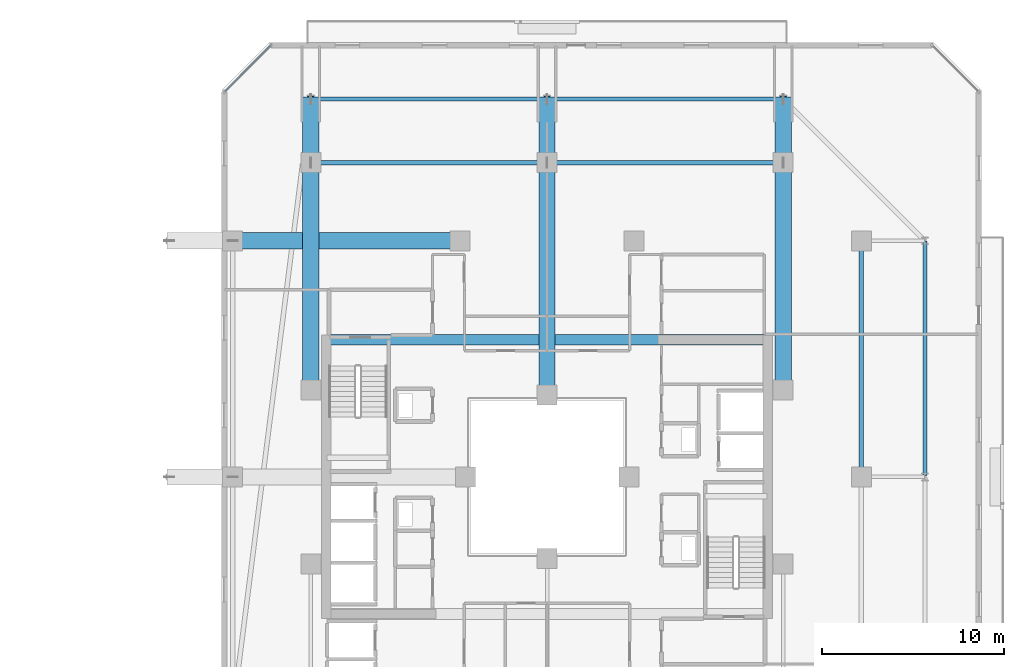
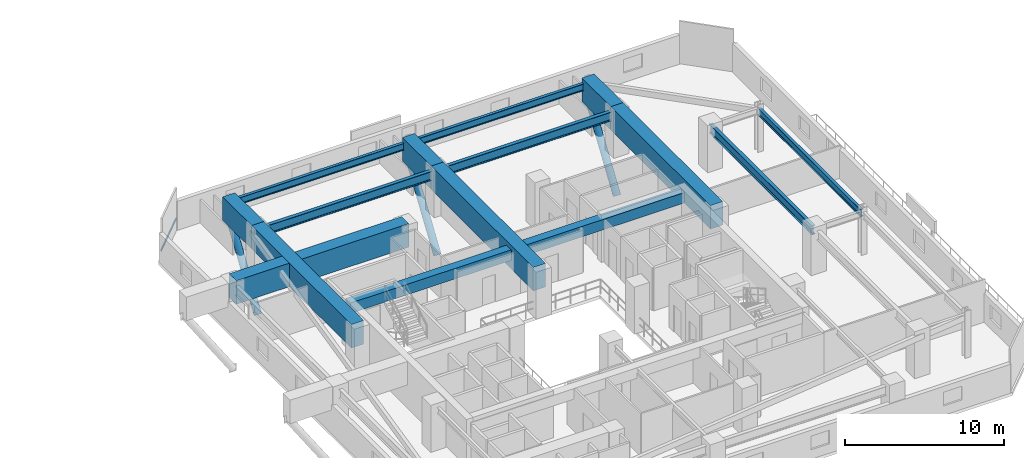
# One storey, part 15 of 36: 14 beams, 4 members, 1 element without a shape of its own.
"""IFC4 building model written with IfcOpenShell, lengths in metres."""

from ifc_helpers import new_model, si_unit, direction, frame, origin, origin_2d, place, context, subcontext, project, spatial, rectangle, hollow_rectangle, hollow_circle, i_section, extrude, material, material_profile, profile_set, type_object, element, aggregate, save


model = new_model("IFC4")

# Units and contexts
model_context = context("Model", 3, precision=1e-05, world=origin(), true_north=direction((0.0, 1.0)))
body_context = subcontext(model_context, "Body", "Model", "MODEL_VIEW")
ifc_project = project(units=[si_unit("LENGTHUNIT", "METRE"), si_unit("AREAUNIT", "SQUARE_METRE"), si_unit("VOLUMEUNIT", "CUBIC_METRE"), si_unit("PLANEANGLEUNIT", "RADIAN"), si_unit("MASSUNIT", "GRAM", prefix="KILO")], contexts=[model_context])

# Site, building, storey
site_placement = place(None, origin())
site = spatial("IfcSite", under=ifc_project, at=site_placement, CompositionType="ELEMENT")
building_placement = place(site_placement, origin())
building = spatial("IfcBuilding", under=site, at=building_placement, Name="Thornwick Lancets Civic Towers", CompositionType="ELEMENT")
storey_placement = place(building_placement, frame((0.0, 0.0, 170.699951171875)))
storey = spatial("IfcBuildingStorey", under=building, at=storey_placement, Name="L45", CompositionType="ELEMENT", Elevation=170.699951171875)

# Beams
ifc_material_1 = material(Name="Concrete C60/75", Category="concrete")
ifc_material_profile_1 = material_profile(ifc_material_1, rectangle(XDim=0.60009765625, YDim=0.800048828125, at=origin_2d()), Name="RC 600x800")
ifc_profile_set_1 = profile_set([ifc_material_profile_1], Name="Concrete C60/75")
beam_type_1 = type_object("IfcBeamType", Name="BM_COUP_RC800", PredefinedType="BEAM", material=ifc_profile_set_1)
beam_1_placement = place(storey_placement, frame((76.39990234375, 34.550048828125, 2.880126953125), z_axis=(1.0, 0.0, 0.0), x_axis=(0.0, 1.0, 0.0)))
element("IfcBeam", 1, at=beam_1_placement, inside=storey, type_object=beam_type_1, Name="CB-L45-B1", PredefinedType="BEAM", context=body_context, shape_type="SweptSolid", body=[
    extrude(rectangle(XDim=0.60009765625, YDim=0.800048828125, at=origin_2d()), origin(), (0.0, 0.0, 1.0), 24.2001953125),
])
ifc_material_2 = material(Name="Steel S355JR", Category="steel")
ifc_material_profile_2 = material_profile(ifc_material_2, i_section(OverallWidth=0.210693359375, OverallDepth=0.53955078125, WebThickness=0.01171875, FlangeThickness=0.018798828125, FilletRadius=0.0126953125, at=origin_2d()), Name="UKB 533x210x109")
ifc_profile_set_2 = profile_set([ifc_material_profile_2], Name="Steel S355JR")
beam_type_2 = type_object("IfcBeamType", Name="BM_EDGE_533_109", PredefinedType="SPANDREL", material=ifc_profile_set_2)
beam_2_placement = place(storey_placement, frame((109.300048828125, 27.080078125, 3.01025390625), z_axis=(0.0, 1.0, 0.0), x_axis=(-1.0, 0.0, 0.0)))
element("IfcBeam", 2, at=beam_2_placement, inside=storey, type_object=beam_type_2, Name="BM-EDGE-L45-B-S0-2", PredefinedType="SPANDREL", context=body_context, shape_type="SweptSolid", body=[
    extrude(i_section(OverallWidth=0.210693359375, OverallDepth=0.53955078125, WebThickness=0.01171875, FlangeThickness=0.018798828125, FilletRadius=0.0126953125, at=origin_2d()), origin(), (0.0, 0.0, 1.0), 12.919921875),
])
beam_3_placement = place(storey_placement, frame((101.5, 47.800048828125, 3.01025390625), z_axis=(-1.0, 0.0, 0.0), x_axis=(0.0, -1.0, 0.0)))
element("IfcBeam", 3, at=beam_3_placement, inside=storey, type_object=beam_type_2, Name="BM-EDGE-L45-B-S1-1", PredefinedType="SPANDREL", context=body_context, shape_type="SweptSolid", body=[
    extrude(i_section(OverallWidth=0.210693359375, OverallDepth=0.53955078125, WebThickness=0.01171875, FlangeThickness=0.018798828125, FilletRadius=0.0126953125, at=origin_2d()), origin(), (0.0, 0.0, 1.0), 13.0),
])
beam_4_placement = place(storey_placement, frame((88.419921875, 47.800048828125, 3.01025390625), z_axis=(-1.0, 0.0, 0.0), x_axis=(0.0, -1.0, 0.0)))
element("IfcBeam", 4, at=beam_4_placement, inside=storey, type_object=beam_type_2, Name="BM-EDGE-L45-B-S1-2", PredefinedType="SPANDREL", context=body_context, shape_type="SweptSolid", body=[
    extrude(i_section(OverallWidth=0.210693359375, OverallDepth=0.53955078125, WebThickness=0.01171875, FlangeThickness=0.018798828125, FilletRadius=0.0126953125, at=origin_2d()), origin(), (0.0, 0.0, 1.0), 12.919921875),
])
ifc_material_profile_3 = material_profile(ifc_material_2, i_section(OverallWidth=0.255859375, OverallDepth=0.69287109375, WebThickness=0.014404296875, FlangeThickness=0.023681640625, FilletRadius=0.01513671875, at=origin_2d()), Name="UKB 686x254x170")
ifc_profile_set_3 = profile_set([ifc_material_profile_3], Name="Steel S355JR")
beam_type_3 = type_object("IfcBeamType", Name="BM_GIRD_686_170", PredefinedType="BEAM", material=ifc_profile_set_3)
beam_5_placement = place(storey_placement, frame((105.800048828125, 27.080078125, 2.93359375), z_axis=(0.0, 1.0, 0.0), x_axis=(-1.0, 0.0, 0.0)))
element("IfcBeam", 5, at=beam_5_placement, inside=storey, type_object=beam_type_3, Name="BM-SPINE-L45-B-1-2", PredefinedType="BEAM", context=body_context, shape_type="SweptSolid", body=[
    extrude(i_section(OverallWidth=0.255859375, OverallDepth=0.69287109375, WebThickness=0.014404296875, FlangeThickness=0.023681640625, FilletRadius=0.01513671875, at=origin_2d()), origin(), (0.0, 0.0, 1.0), 12.919921875),
])
beam_6_placement = place(storey_placement, frame((101.5, 44.300048828125, 2.93359375), z_axis=(-1.0, 0.0, 0.0), x_axis=(0.0, -1.0, 0.0)))
element("IfcBeam", 6, at=beam_6_placement, inside=storey, type_object=beam_type_3, Name="BM-SPINE-L45-B-3-4", PredefinedType="BEAM", context=body_context, shape_type="SweptSolid", body=[
    extrude(i_section(OverallWidth=0.255859375, OverallDepth=0.69287109375, WebThickness=0.014404296875, FlangeThickness=0.023681640625, FilletRadius=0.01513671875, at=origin_2d()), origin(), (0.0, 0.0, 1.0), 13.0),
])
beam_7_placement = place(storey_placement, frame((88.419921875, 44.300048828125, 2.93359375), z_axis=(-1.0, 0.0, 0.0), x_axis=(0.0, -1.0, 0.0)))
element("IfcBeam", 7, at=beam_7_placement, inside=storey, type_object=beam_type_3, Name="BM-SPINE-L45-B-4-5", PredefinedType="BEAM", context=body_context, shape_type="SweptSolid", body=[
    extrude(i_section(OverallWidth=0.255859375, OverallDepth=0.69287109375, WebThickness=0.014404296875, FlangeThickness=0.023681640625, FilletRadius=0.01513671875, at=origin_2d()), origin(), (0.0, 0.0, 1.0), 12.919921875),
])
ifc_material_profile_4 = material_profile(ifc_material_1, rectangle(XDim=0.89990234375, YDim=1.800048828125, at=origin_2d()), Name="RC 900x1800")
ifc_profile_set_4 = profile_set([ifc_material_profile_4], Name="Concrete C60/75")
beam_type_4 = type_object("IfcBeamType", Name="BM_TR_RC1800", PredefinedType="BEAM", material=ifc_profile_set_4)
beam_8_placement = place(storey_placement, frame((101.5, 31.800048828125, 2.699951171875), z_axis=(0.0, 1.0, 0.0), x_axis=(-1.0, 0.0, 0.0)))
element("IfcBeam", 8, at=beam_8_placement, inside=storey, type_object=beam_type_4, Name="TG-BACK-L46-B04", PredefinedType="BEAM", context=body_context, shape_type="SweptSolid", body=[
    extrude(rectangle(XDim=0.89990234375, YDim=1.800048828125, at=origin_2d()), origin(), (0.0, 0.0, 1.0), 12.5),
])
beam_9_placement = place(storey_placement, frame((101.5, 44.300048828125, 2.699951171875), z_axis=(0.0, 1.0, 0.0), x_axis=(-1.0, 0.0, 0.0)))
element("IfcBeam", 9, at=beam_9_placement, inside=storey, type_object=beam_type_4, Name="TG-CANT-L46-B04", PredefinedType="BEAM", context=body_context, shape_type="SweptSolid", body=[
    extrude(rectangle(XDim=0.89990234375, YDim=1.800048828125, at=origin_2d()), origin(), (0.0, 0.0, 1.0), 3.619873046875),
])
beam_10_placement = place(storey_placement, frame((88.5, 31.5, 2.699951171875), z_axis=(0.0, 1.0, 0.0), x_axis=(-1.0, 0.0, 0.0)))
element("IfcBeam", 10, at=beam_10_placement, inside=storey, type_object=beam_type_4, Name="TG-BACK-L46-B05", PredefinedType="BEAM", context=body_context, shape_type="SweptSolid", body=[
    extrude(rectangle(XDim=0.89990234375, YDim=1.800048828125, at=origin_2d()), origin(), (0.0, 0.0, 1.0), 12.800048828125),
])
beam_11_placement = place(storey_placement, frame((88.5, 44.300048828125, 2.699951171875), z_axis=(0.0, 1.0, 0.0), x_axis=(-1.0, 0.0, 0.0)))
element("IfcBeam", 11, at=beam_11_placement, inside=storey, type_object=beam_type_4, Name="TG-CANT-L46-B05", PredefinedType="BEAM", context=body_context, shape_type="SweptSolid", body=[
    extrude(rectangle(XDim=0.89990234375, YDim=1.800048828125, at=origin_2d()), origin(), (0.0, 0.0, 1.0), 3.619873046875),
])
beam_12_placement = place(storey_placement, frame((75.5, 31.800048828125, 2.699951171875), z_axis=(0.0, 1.0, 0.0), x_axis=(-1.0, 0.0, 0.0)))
element("IfcBeam", 12, at=beam_12_placement, inside=storey, type_object=beam_type_4, Name="TG-BACK-L46-B06", PredefinedType="BEAM", context=body_context, shape_type="SweptSolid", body=[
    extrude(rectangle(XDim=0.89990234375, YDim=1.800048828125, at=origin_2d()), origin(), (0.0, 0.0, 1.0), 12.5),
])
beam_13_placement = place(storey_placement, frame((75.5, 44.300048828125, 2.699951171875), z_axis=(0.0, 1.0, 0.0), x_axis=(-1.0, 0.0, 0.0)))
element("IfcBeam", 13, at=beam_13_placement, inside=storey, type_object=beam_type_4, Name="TG-CANT-L46-B06", PredefinedType="BEAM", context=body_context, shape_type="SweptSolid", body=[
    extrude(rectangle(XDim=0.89990234375, YDim=1.800048828125, at=origin_2d()), origin(), (0.0, 0.0, 1.0), 3.619873046875),
])
beam_14_placement = place(storey_placement, frame((83.699951171875, 40.0, 2.699951171875), z_axis=(-1.0, 0.0, 0.0), x_axis=(0.0, -1.0, 0.0)))
element("IfcBeam", 14, at=beam_14_placement, inside=storey, type_object=beam_type_4, Name="TG-BACK-L46-B09", PredefinedType="BEAM", context=body_context, shape_type="SweptSolid", body=[
    extrude(rectangle(XDim=0.89990234375, YDim=1.800048828125, at=origin_2d()), origin(), (0.0, 0.0, 1.0), 12.5),
])

# Curtain wall, member
ifc_material_3 = material(Name="Mid-zone chamfered-corner unitised glass curtain wall", Category="glass")
curtain_wall_type = type_object("IfcCurtainWallType", Name="CW_SYS_04", PredefinedType="NOTDEFINED", material=ifc_material_3)
curtain_wall_placement = place(storey_placement, origin())
curtain_wall = element("IfcCurtainWall", 15, at=curtain_wall_placement, inside=storey, type_object=curtain_wall_type, Name="L45 Curtain Wall CW-L45-B-E5", PredefinedType="NOTDEFINED")
ifc_material_4 = material(Name="Thermally broken bronze aluminium S355", Category="steel")
ifc_material_profile_5 = material_profile(ifc_material_4, hollow_rectangle(XDim=0.074951171875, YDim=0.14990234375, WallThickness=0.0048828125, at=origin_2d()), Name="RHS 150x75x5")
ifc_profile_set_5 = profile_set([ifc_material_profile_5], Name="Thermally broken bronze aluminium S355")
member_type_1 = type_object("IfcMemberType", Name="CW_TRN_150", PredefinedType="USERDEFINED", material=ifc_profile_set_5)
member_placement = place(storey_placement, frame((73.304443359375, 50.75048828125, 0.85009765625), z_axis=(-0.707106781187, -0.707106781187, 0.0), x_axis=(0.707106781187, -0.707106781187, 0.0)))
member = element("IfcMember", 16, at=member_placement, type_object=member_type_1, Name="CW-L45-B-E5 Transom 0", ObjectType="TRANSOM", PredefinedType="USERDEFINED", context=body_context, shape_type="SweptSolid", body=[
    extrude(hollow_rectangle(XDim=0.074951171875, YDim=0.14990234375, WallThickness=0.0048828125, at=origin_2d()), origin(), (0.0, 0.0, 1.0), 3.61328125),
])
aggregate(curtain_wall, [member])

# Members
ifc_material_5 = material(Name="Steel S460M", Category="steel")
ifc_material_profile_6 = material_profile(ifc_material_5, hollow_circle(Radius=0.25390625, WallThickness=0.02490234375, at=origin_2d()), Name="CHS 508x25")
ifc_profile_set_6 = profile_set([ifc_material_profile_6], Name="Steel S460M")
member_type_2 = type_object("IfcMemberType", Name="MEM_STRUT_CHS508", PredefinedType="STRUT", material=ifc_profile_set_6)
for number, where, z_axis, x_axis, name in (
    (17, (101.5, 44.300048828125, -3.349853515625), (0.0, 0.556167580628, 0.831070166868), (-1.0, 0.0, 0.0), "L46 Jenga Transfer Raking Strut B04"),
    (18, (88.5, 44.300048828125, -3.349853515625), (0.0, 0.556167580628, 0.831070166868), (-1.0, 0.0, 0.0), "L46 Jenga Transfer Raking Strut B05"),
    (19, (75.5, 44.300048828125, -3.349853515625), (0.0, 0.556167580628, 0.831070166868), (-1.0, 0.0, 0.0), "L46 Jenga Transfer Raking Strut B06"),
):
    element("IfcMember", number, at=place(storey_placement, frame(where, z_axis=z_axis, x_axis=x_axis)), inside=storey, type_object=member_type_2, Name=name, PredefinedType="STRUT", context=body_context, shape_type="SweptSolid", body=[
        extrude(hollow_circle(Radius=0.25390625, WallThickness=0.02490234375, at=origin_2d()), origin(), (0.0, 0.0, 1.0), 6.29296875),
    ])

save(model, "model.ifc")
